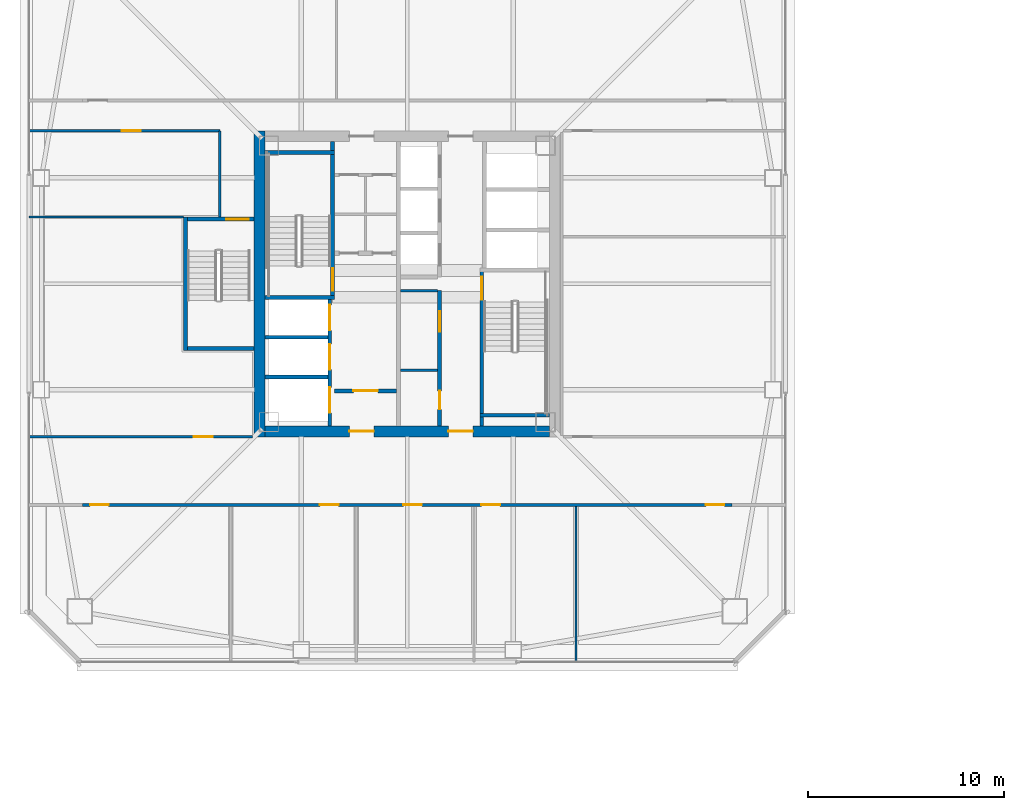
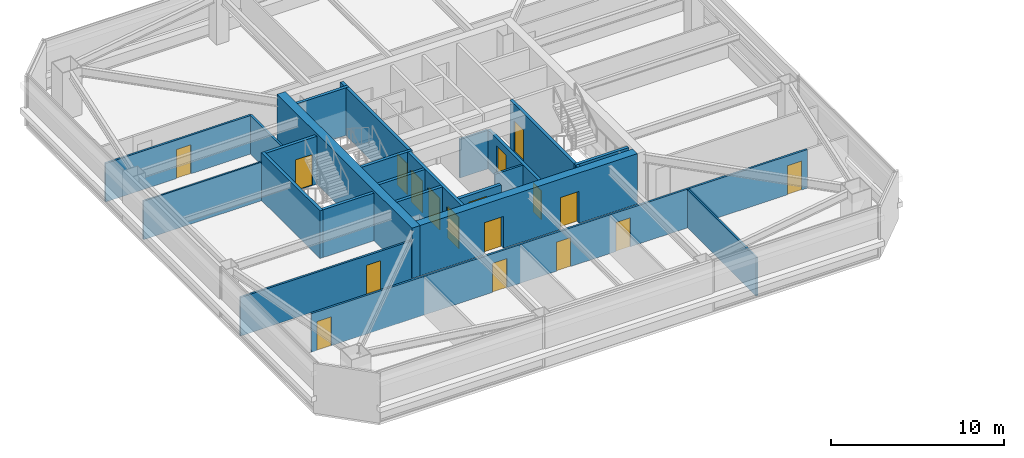
# One storey, part 31 of 41: 23 walls, 18 doors, 18 openings.
"""IFC4 building model written with IfcOpenShell, lengths in metres."""

from ifc_helpers import new_model, si_unit, direction, frame, frame_2d, origin, place, context, subcontext, project, spatial, rectangle, extrude, material, layer, layer_set, type_object, element, fill, save


model = new_model("IFC4")

# Units and contexts
model_context = context("Model", 3, precision=1e-05, world=origin(), true_north=direction((0.0, 1.0)))
body_context = subcontext(model_context, "Body", "Model", "MODEL_VIEW")
ifc_project = project(units=[si_unit("LENGTHUNIT", "METRE"), si_unit("AREAUNIT", "SQUARE_METRE"), si_unit("VOLUMEUNIT", "CUBIC_METRE"), si_unit("PLANEANGLEUNIT", "RADIAN"), si_unit("MASSUNIT", "GRAM", prefix="KILO")], contexts=[model_context])

# Site, building, storey
site_placement = place(None, origin())
site = spatial("IfcSite", under=ifc_project, at=site_placement, CompositionType="ELEMENT")
building_placement = place(site_placement, origin())
building = spatial("IfcBuilding", under=site, at=building_placement, Name="Tashvorn Skyway Center", CompositionType="ELEMENT")
storey_placement = place(building_placement, frame((0.0, 0.0, 117.949951171875)))
storey = spatial("IfcBuildingStorey", under=building, at=storey_placement, Name="L31", CompositionType="ELEMENT", Elevation=117.949951171875)

# Wall
ifc_material_1 = material(Name="Concrete C60/75", Category="concrete")
ifc_layer_1 = layer(ifc_material_1, 0.550048828125)
ifc_layer_set_1 = layer_set([ifc_layer_1], Name="Concrete C60/75")
wall_type_1 = type_object("IfcWallType", Name="WALL-CORE-550", PredefinedType="SHEAR", material=ifc_layer_set_1)
wall_1_placement = place(storey_placement, frame((34.47509765625, 24.199951171875, 0.0), z_axis=(0.0, 0.0, 1.0), x_axis=(0.0, 1.0, 0.0)))
element("IfcWall", 1, at=wall_1_placement, inside=storey, type_object=wall_type_1, Name="Tower 1 L31 West Core Shear Wall", PredefinedType="SHEAR", context=body_context, shape_type="SweptSolid", body=[
    extrude(rectangle(XDim=15.60009765625, YDim=0.550048828125, at=frame_2d((7.800048828125, 0.0))), origin(), (0.0, 0.0, 1.0), 3.550048828125),
])

# Wall, openings, doors
wall_2_placement = place(storey_placement, frame((49.25, 24.47509765625, 0.0), z_axis=(0.0, 0.0, 1.0), x_axis=(-1.0, 0.0, 0.0)))
wall_2 = element("IfcWall", 2, at=wall_2_placement, inside=storey, type_object=wall_type_1, Name="Tower 1 L31 South Core Shear Wall", PredefinedType="SHEAR", context=body_context, shape_type="SweptSolid", body=[
    extrude(rectangle(XDim=14.5, YDim=0.550048828125, at=frame_2d((7.25, 0.0))), origin(), (0.0, 0.0, 1.0), 3.550048828125),
])
opening_1_placement = place(wall_2_placement, frame((8.949951171875, 0.0, 0.0)))
opening_1 = element("IfcOpeningElement", 3, at=opening_1_placement, cuts=wall_2, Name="Opening D-FFL-1250", PredefinedType="OPENING", context=body_context, shape_type="SweptSolid", body=[
    extrude(rectangle(XDim=1.25, YDim=2.25, at=frame_2d((0.625, 1.125))), frame((0.0, 0.284912109375, 0.0), z_axis=(0.0, -1.0, 0.0), x_axis=(1.0, 0.0, 0.0)), (0.0, 0.0, 1.0), 0.570068359375),
])
opening_2_placement = place(wall_2_placement, frame((3.89990234375, 0.0, 0.0)))
opening_2 = element("IfcOpeningElement", 4, at=opening_2_placement, cuts=wall_2, Name="Opening D-FFL-1250", PredefinedType="OPENING", context=body_context, shape_type="SweptSolid", body=[
    extrude(rectangle(XDim=1.25, YDim=2.25, at=frame_2d((0.625, 1.125))), frame((0.0, 0.284912109375, 0.0), z_axis=(0.0, -1.0, 0.0), x_axis=(1.0, 0.0, 0.0)), (0.0, 0.0, 1.0), 0.570068359375),
])
ifc_material_2 = material(Name="Hollow galvanized steel fire door assembly", Category="steel")
door_type_1 = type_object("IfcDoorType", Name="DOOR-FFL-1250", OperationType="NOTDEFINED", PredefinedType="DOOR", material=ifc_material_2)
door_1_placement = place(opening_1_placement, origin())
door_1 = element("IfcDoor", 5, at=door_1_placement, inside=storey, type_object=door_type_1, Name="Tower 1 L31 Core South Firefighting Exit Door", OperationType="SINGLE_SWING_LEFT", OverallHeight=2.25, OverallWidth=1.25, PredefinedType="DOOR", context=body_context, shape_type="SweptSolid", body=[
    extrude(rectangle(XDim=1.25, YDim=2.25, at=frame_2d((0.625, 1.125))), frame((0.0, 0.02490234375, 0.0), z_axis=(0.0, -1.0, 0.0), x_axis=(1.0, 0.0, 0.0)), (0.0, 0.0, 1.0), 0.050048828125),
])
fill(opening_1, door_1)
door_2_placement = place(opening_2_placement, origin())
door_2 = element("IfcDoor", 6, at=door_2_placement, inside=storey, type_object=door_type_1, Name="Tower 1 L31 Core South Lift Lobby Door", OperationType="SINGLE_SWING_RIGHT", OverallHeight=2.25, OverallWidth=1.25, PredefinedType="DOOR", context=body_context, shape_type="SweptSolid", body=[
    extrude(rectangle(XDim=1.25, YDim=2.25, at=frame_2d((0.625, 1.125))), frame((0.0, 0.02490234375, 0.0), z_axis=(0.0, -1.0, 0.0), x_axis=(1.0, 0.0, 0.0)), (0.0, 0.0, 1.0), 0.050048828125),
])
fill(opening_2, door_2)

# Wall, opening, door
ifc_material_3 = material(Name="Concrete C40/50", Category="concrete")
ifc_layer_2 = layer(ifc_material_3, 0.219970703125)
ifc_layer_set_2 = layer_set([ifc_layer_2], Name="Concrete C40/50")
wall_type_2 = type_object("IfcWallType", Name="WALL-FFL-220", PredefinedType="SOLIDWALL", material=ifc_layer_set_2)
wall_3_placement = place(storey_placement, frame((38.300048828125, 26.5400390625, 0.0), z_axis=(0.0, 0.0, 1.0), x_axis=(1.0, 0.0, 0.0)))
wall_3 = element("IfcWall", 7, at=wall_3_placement, inside=storey, type_object=wall_type_2, Name="Tower 1 L31 Firefighting Lobby South Wall", PredefinedType="SOLIDWALL", context=body_context, shape_type="SweptSolid", body=[
    extrude(rectangle(XDim=3.14990234375, YDim=0.219970703125, at=frame_2d((1.574951171875, 0.0))), origin(), (0.0, 0.0, 1.0), 2.72314453125),
])
opening_3_placement = place(wall_3_placement, frame((0.949951171875, 0.0, 0.0)))
opening_3 = element("IfcOpeningElement", 8, at=opening_3_placement, cuts=wall_3, Name="Opening D-FFL-1250", PredefinedType="OPENING", context=body_context, shape_type="SweptSolid", body=[
    extrude(rectangle(XDim=1.25, YDim=2.25, at=frame_2d((0.625, 1.125))), frame((0.0, 0.119873046875, 0.0), z_axis=(0.0, -1.0, 0.0), x_axis=(1.0, 0.0, 0.0)), (0.0, 0.0, 1.0), 0.239990234375),
])
door_3_placement = place(opening_3_placement, origin())
door_3 = element("IfcDoor", 9, at=door_3_placement, inside=storey, type_object=door_type_1, Name="Tower 1 L31 Firefighting Lobby Egress Door", OperationType="SINGLE_SWING_LEFT", OverallHeight=2.25, OverallWidth=1.25, PredefinedType="DOOR", context=body_context, shape_type="SweptSolid", body=[
    extrude(rectangle(XDim=1.25, YDim=2.25, at=frame_2d((0.625, 1.125))), frame((0.0, 0.02490234375, 0.0), z_axis=(0.0, -1.0, 0.0), x_axis=(1.0, 0.0, 0.0)), (0.0, 0.0, 1.0), 0.050048828125),
])
fill(opening_3, door_3)

# Walls
ifc_material_4 = material(Name="Gypsum board on cold-formed steel stud framing", Category="steel")
ifc_layer_3 = layer(ifc_material_4, 0.110107421875)
ifc_layer_set_3 = layer_set([ifc_layer_3], Name="Gypsum board on cold-formed steel stud framing")
wall_type_3 = type_object("IfcWallType", Name="WALL-PART-110", PredefinedType="PARTITIONING", material=ifc_layer_set_3)
wall_4_placement = place(storey_placement, frame((50.60009765625, 12.719970703125, 0.0), z_axis=(0.0, 0.0, 1.0), x_axis=(0.0, 1.0, 0.0)))
element("IfcWall", 10, at=wall_4_placement, inside=storey, type_object=wall_type_3, Name="Tower 1 L31 South Suite Partition 4", PredefinedType="PARTITIONING", context=body_context, shape_type="SweptSolid", body=[
    extrude(rectangle(XDim=7.929931640625, YDim=0.110107421875, at=frame_2d((3.96484375, 0.0))), origin(), (0.0, 0.0, 1.0), 2.72314453125),
])
wall_5_placement = place(storey_placement, frame((30.60009765625, 35.39990234375, 0.0), z_axis=(0.0, 0.0, 1.0), x_axis=(-1.0, 0.0, 0.0)))
element("IfcWall", 11, at=wall_5_placement, inside=storey, type_object=wall_type_3, Name="Tower 1 L31 West Suite Partition 1", PredefinedType="PARTITIONING", context=body_context, shape_type="SweptSolid", body=[
    extrude(rectangle(XDim=7.880126953125, YDim=0.110107421875, at=frame_2d((3.93994140625, 0.0))), origin(), (0.0, 0.0, 1.0), 2.72314453125),
])
ifc_layer_4 = layer(ifc_material_4, 0.135009765625)
ifc_layer_set_4 = layer_set([ifc_layer_4], Name="Gypsum board on cold-formed steel stud framing")
wall_type_4 = type_object("IfcWallType", Name="WALL-PART-135", PredefinedType="PARTITIONING", material=ifc_layer_set_4)
wall_6_placement = place(storey_placement, frame((32.449951171875, 35.39990234375, 0.0), z_axis=(0.0, 0.0, 1.0), x_axis=(0.0, 1.0, 0.0)))
element("IfcWall", 12, at=wall_6_placement, inside=storey, type_object=wall_type_4, Name="Tower 1 L31 Stair 3 Access Corridor Wall", PredefinedType="PARTITIONING", context=body_context, shape_type="SweptSolid", body=[
    extrude(rectangle(XDim=4.400146484375, YDim=0.135009765625, at=frame_2d((2.2001953125, 0.0))), origin(), (0.0, 0.0, 1.0), 2.72314453125),
])

# Wall, openings, doors
wall_7_placement = place(storey_placement, frame((58.550048828125, 20.72998046875, 0.0), z_axis=(0.0, 0.0, 1.0), x_axis=(-1.0, 0.0, 0.0)))
wall_7 = element("IfcWall", 13, at=wall_7_placement, inside=storey, type_object=wall_type_4, Name="Tower 1 L31 South Suite Wall", PredefinedType="PARTITIONING", context=body_context, shape_type="SweptSolid", body=[
    extrude(rectangle(XDim=33.10009765625, YDim=0.135009765625, at=frame_2d((16.550048828125, 0.0))), origin(), (0.0, 0.0, 1.0), 2.72314453125),
])
opening_4_placement = place(wall_7_placement, frame((31.77001953125, 0.0, 0.0)))
opening_4 = element("IfcOpeningElement", 14, at=opening_4_placement, cuts=wall_7, Name="Opening D-INT-950", PredefinedType="OPENING", context=body_context, shape_type="SweptSolid", body=[
    extrude(rectangle(XDim=0.949951171875, YDim=2.050048828125, at=frame_2d((0.47509765625, 1.02490234375))), frame((0.0, 0.077392578125, 0.0), z_axis=(0.0, -1.0, 0.0), x_axis=(1.0, 0.0, 0.0)), (0.0, 0.0, 1.0), 0.155029296875),
])
opening_5_placement = place(wall_7_placement, frame((20.051025390625, 0.0, 0.0)))
opening_5 = element("IfcOpeningElement", 15, at=opening_5_placement, cuts=wall_7, Name="Opening D-INT-950", PredefinedType="OPENING", context=body_context, shape_type="SweptSolid", body=[
    extrude(rectangle(XDim=0.949951171875, YDim=2.050048828125, at=frame_2d((0.47509765625, 1.02490234375))), frame((0.0, 0.077392578125, 0.0), z_axis=(0.0, -1.0, 0.0), x_axis=(1.0, 0.0, 0.0)), (0.0, 0.0, 1.0), 0.155029296875),
])
opening_6_placement = place(wall_7_placement, frame((15.80126953125, 0.0, 0.0)))
opening_6 = element("IfcOpeningElement", 16, at=opening_6_placement, cuts=wall_7, Name="Opening D-INT-950", PredefinedType="OPENING", context=body_context, shape_type="SweptSolid", body=[
    extrude(rectangle(XDim=0.949951171875, YDim=2.050048828125, at=frame_2d((0.47509765625, 1.02490234375))), frame((0.0, 0.077392578125, 0.0), z_axis=(0.0, -1.0, 0.0), x_axis=(1.0, 0.0, 0.0)), (0.0, 0.0, 1.0), 0.155029296875),
])
opening_7_placement = place(wall_7_placement, frame((11.820068359375, 0.0, 0.0)))
opening_7 = element("IfcOpeningElement", 17, at=opening_7_placement, cuts=wall_7, Name="Opening D-INT-950", PredefinedType="OPENING", context=body_context, shape_type="SweptSolid", body=[
    extrude(rectangle(XDim=0.949951171875, YDim=2.050048828125, at=frame_2d((0.47509765625, 1.02490234375))), frame((0.0, 0.077392578125, 0.0), z_axis=(0.0, -1.0, 0.0), x_axis=(1.0, 0.0, 0.0)), (0.0, 0.0, 1.0), 0.155029296875),
])
opening_8_placement = place(wall_7_placement, frame((0.3798828125, 0.0, 0.0)))
opening_8 = element("IfcOpeningElement", 18, at=opening_8_placement, cuts=wall_7, Name="Opening D-INT-950", PredefinedType="OPENING", context=body_context, shape_type="SweptSolid", body=[
    extrude(rectangle(XDim=0.949951171875, YDim=2.050048828125, at=frame_2d((0.47509765625, 1.02490234375))), frame((0.0, 0.077392578125, 0.0), z_axis=(0.0, -1.0, 0.0), x_axis=(1.0, 0.0, 0.0)), (0.0, 0.0, 1.0), 0.155029296875),
])
ifc_material_5 = material(Name="Solid-core architectural oak veneer door")
door_type_2 = type_object("IfcDoorType", Name="DOOR-INT-950", OperationType="NOTDEFINED", PredefinedType="DOOR", material=ifc_material_5)
door_4_placement = place(opening_4_placement, origin())
door_4 = element("IfcDoor", 19, at=door_4_placement, inside=storey, type_object=door_type_2, Name="Tower 1 L31 Executive Study Lounge Door", OperationType="SINGLE_SWING_RIGHT", OverallHeight=2.050048828125, OverallWidth=0.949951171875, PredefinedType="DOOR", context=body_context, shape_type="SweptSolid", body=[
    extrude(rectangle(XDim=0.949951171875, YDim=2.050048828125, at=frame_2d((0.47509765625, 1.02490234375))), frame((0.0, 0.02490234375, 0.0), z_axis=(0.0, -1.0, 0.0), x_axis=(1.0, 0.0, 0.0)), (0.0, 0.0, 1.0), 0.050048828125),
])
fill(opening_4, door_4)
door_5_placement = place(opening_5_placement, origin())
door_5 = element("IfcDoor", 20, at=door_5_placement, inside=storey, type_object=door_type_2, Name="Tower 1 L31 Design Studio Door", OperationType="SINGLE_SWING_LEFT", OverallHeight=2.050048828125, OverallWidth=0.949951171875, PredefinedType="DOOR", context=body_context, shape_type="SweptSolid", body=[
    extrude(rectangle(XDim=0.949951171875, YDim=2.050048828125, at=frame_2d((0.47509765625, 1.02490234375))), frame((0.0, 0.02490234375, 0.0), z_axis=(0.0, -1.0, 0.0), x_axis=(1.0, 0.0, 0.0)), (0.0, 0.0, 1.0), 0.050048828125),
])
fill(opening_5, door_5)
door_6_placement = place(opening_6_placement, origin())
door_6 = element("IfcDoor", 21, at=door_6_placement, inside=storey, type_object=door_type_2, Name="Tower 1 L31 Design Studio Door", OperationType="SINGLE_SWING_RIGHT", OverallHeight=2.050048828125, OverallWidth=0.949951171875, PredefinedType="DOOR", context=body_context, shape_type="SweptSolid", body=[
    extrude(rectangle(XDim=0.949951171875, YDim=2.050048828125, at=frame_2d((0.47509765625, 1.02490234375))), frame((0.0, 0.02490234375, 0.0), z_axis=(0.0, -1.0, 0.0), x_axis=(1.0, 0.0, 0.0)), (0.0, 0.0, 1.0), 0.050048828125),
])
fill(opening_6, door_6)
door_7_placement = place(opening_7_placement, origin())
door_7 = element("IfcDoor", 22, at=door_7_placement, inside=storey, type_object=door_type_2, Name="Tower 1 L31 Reading Lounge Door", OperationType="SINGLE_SWING_LEFT", OverallHeight=2.050048828125, OverallWidth=0.949951171875, PredefinedType="DOOR", context=body_context, shape_type="SweptSolid", body=[
    extrude(rectangle(XDim=0.949951171875, YDim=2.050048828125, at=frame_2d((0.47509765625, 1.02490234375))), frame((0.0, 0.02490234375, 0.0), z_axis=(0.0, -1.0, 0.0), x_axis=(1.0, 0.0, 0.0)), (0.0, 0.0, 1.0), 0.050048828125),
])
fill(opening_7, door_7)
door_8_placement = place(opening_8_placement, origin())
door_8 = element("IfcDoor", 23, at=door_8_placement, inside=storey, type_object=door_type_2, Name="Tower 1 L31 Open Plan Office Door", OperationType="SINGLE_SWING_RIGHT", OverallHeight=2.050048828125, OverallWidth=0.949951171875, PredefinedType="DOOR", context=body_context, shape_type="SweptSolid", body=[
    extrude(rectangle(XDim=0.949951171875, YDim=2.050048828125, at=frame_2d((0.47509765625, 1.02490234375))), frame((0.0, 0.02490234375, 0.0), z_axis=(0.0, -1.0, 0.0), x_axis=(1.0, 0.0, 0.0)), (0.0, 0.0, 1.0), 0.050048828125),
])
fill(opening_8, door_8)

# Wall, opening, door
wall_8_placement = place(storey_placement, frame((32.449951171875, 39.800048828125, 0.0), z_axis=(0.0, 0.0, 1.0), x_axis=(-1.0, 0.0, 0.0)))
wall_8 = element("IfcWall", 24, at=wall_8_placement, inside=storey, type_object=wall_type_4, Name="Tower 1 L31 West Suite North Wall", PredefinedType="PARTITIONING", context=body_context, shape_type="SweptSolid", body=[
    extrude(rectangle(XDim=9.72998046875, YDim=0.135009765625, at=frame_2d((4.864990234375, 0.0))), origin(), (0.0, 0.0, 1.0), 2.72314453125),
])
opening_9_placement = place(wall_8_placement, frame((4.0400390625, 0.0, 0.0)))
opening_9 = element("IfcOpeningElement", 25, at=opening_9_placement, cuts=wall_8, Name="Opening D-INT-950", PredefinedType="OPENING", context=body_context, shape_type="SweptSolid", body=[
    extrude(rectangle(XDim=0.949951171875, YDim=2.050048828125, at=frame_2d((0.47509765625, 1.02490234375))), frame((0.0, 0.077392578125, 0.0), z_axis=(0.0, -1.0, 0.0), x_axis=(1.0, 0.0, 0.0)), (0.0, 0.0, 1.0), 0.155029296875),
])
door_9_placement = place(opening_9_placement, origin())
door_9 = element("IfcDoor", 26, at=door_9_placement, inside=storey, type_object=door_type_2, Name="Tower 1 L31 Reading Lounge Door", OperationType="SINGLE_SWING_LEFT", OverallHeight=2.050048828125, OverallWidth=0.949951171875, PredefinedType="DOOR", context=body_context, shape_type="SweptSolid", body=[
    extrude(rectangle(XDim=0.949951171875, YDim=2.050048828125, at=frame_2d((0.47509765625, 1.02490234375))), frame((0.0, 0.02490234375, 0.0), z_axis=(0.0, -1.0, 0.0), x_axis=(1.0, 0.0, 0.0)), (0.0, 0.0, 1.0), 0.050048828125),
])
fill(opening_9, door_9)

wall_9_placement = place(storey_placement, frame((22.719970703125, 24.199951171875, 0.0), z_axis=(0.0, 0.0, 1.0), x_axis=(1.0, 0.0, 0.0)))
wall_9 = element("IfcWall", 27, at=wall_9_placement, inside=storey, type_object=wall_type_4, Name="Tower 1 L31 West Suite South Wall", PredefinedType="PARTITIONING", context=body_context, shape_type="SweptSolid", body=[
    extrude(rectangle(XDim=11.400146484375, YDim=0.135009765625, at=frame_2d((5.7001953125, 0.0))), origin(), (0.0, 0.0, 1.0), 2.72314453125),
])
opening_10_placement = place(wall_9_placement, frame((8.405029296875, 0.0, 0.0)))
opening_10 = element("IfcOpeningElement", 28, at=opening_10_placement, cuts=wall_9, Name="Opening D-INT-950", PredefinedType="OPENING", context=body_context, shape_type="SweptSolid", body=[
    extrude(rectangle(XDim=0.949951171875, YDim=2.050048828125, at=frame_2d((0.47509765625, 1.02490234375))), frame((0.0, 0.077392578125, 0.0), z_axis=(0.0, -1.0, 0.0), x_axis=(1.0, 0.0, 0.0)), (0.0, 0.0, 1.0), 0.155029296875),
])
door_10_placement = place(opening_10_placement, origin())
door_10 = element("IfcDoor", 29, at=door_10_placement, inside=storey, type_object=door_type_2, Name="Tower 1 L31 Public Restroom Door", OperationType="SINGLE_SWING_RIGHT", OverallHeight=2.050048828125, OverallWidth=0.949951171875, PredefinedType="DOOR", context=body_context, shape_type="SweptSolid", body=[
    extrude(rectangle(XDim=0.949951171875, YDim=2.050048828125, at=frame_2d((0.47509765625, 1.02490234375))), frame((0.0, 0.02490234375, 0.0), z_axis=(0.0, -1.0, 0.0), x_axis=(1.0, 0.0, 0.0)), (0.0, 0.0, 1.0), 0.050048828125),
])
fill(opening_10, door_10)

# Walls
ifc_layer_5 = layer(ifc_material_4, 0.135009765625)
ifc_layer_set_5 = layer_set([ifc_layer_5], Name="Gypsum board on cold-formed steel stud framing")
wall_type_5 = type_object("IfcWallType", Name="WALL-RATED-135", PredefinedType="PARTITIONING", material=ifc_layer_set_5)
for number, where, z_axis, x_axis, name in (
    (30, (41.669921875, 31.64990234375, 0.0), (0.0, 0.0, 1.0), (1.0, 0.0, 0.0), "Tower 1 L31 Core Room Partition"),
    (31, (41.669921875, 27.60009765625, 0.0), (0.0, 0.0, 1.0), (1.0, 0.0, 0.0), "Tower 1 L31 Freed Core Partition"),
):
    element("IfcWall", number, at=place(storey_placement, frame(where, z_axis=z_axis, x_axis=x_axis)), inside=storey, type_object=wall_type_5, Name=name, PredefinedType="PARTITIONING", context=body_context, shape_type="SweptSolid", body=[
        extrude(rectangle(XDim=1.880126953125, YDim=0.135009765625, at=frame_2d((0.93994140625, 0.0))), origin(), (0.0, 0.0, 1.0), 2.72314453125),
    ])
ifc_layer_6 = layer(ifc_material_3, 0.199951171875)
ifc_layer_set_6 = layer_set([ifc_layer_6], Name="Concrete C40/50")
wall_type_6 = type_object("IfcWallType", Name="WALL-SHAFT-200", PredefinedType="SOLIDWALL", material=ifc_layer_set_6)
for number, where, z_axis, x_axis, name in (
    (32, (34.75, 27.25, 0.0), (0.0, 0.0, 1.0), (1.0, 0.0, 0.0), "Tower 1 L31 FSAE Shaft Divider"),
    (33, (34.75, 29.280029296875, 0.0), (0.0, 0.0, 1.0), (1.0, 0.0, 0.0), "Tower 1 L31 FSAE Shaft Divider"),
):
    element("IfcWall", number, at=place(storey_placement, frame(where, z_axis=z_axis, x_axis=x_axis)), inside=storey, type_object=wall_type_6, Name=name, PredefinedType="SOLIDWALL", context=body_context, shape_type="SweptSolid", body=[
        extrude(rectangle(XDim=3.199951171875, YDim=0.199951171875, at=frame_2d((1.60009765625, 0.0))), origin(), (0.0, 0.0, 1.0), 3.3701171875),
    ])

# Wall, openings, doors
wall_10_placement = place(storey_placement, frame((43.64990234375, 24.75, 0.0), z_axis=(0.0, 0.0, 1.0), x_axis=(0.0, 1.0, 0.0)))
wall_10 = element("IfcWall", 34, at=wall_10_placement, inside=storey, type_object=wall_type_6, Name="Tower 1 L31 Low-Rise Core Wall", PredefinedType="SOLIDWALL", context=body_context, shape_type="SweptSolid", body=[
    extrude(rectangle(XDim=6.89990234375, YDim=0.199951171875, at=frame_2d((3.449951171875, 0.0))), origin(), (0.0, 0.0, 1.0), 2.72314453125),
])
opening_11_placement = place(wall_10_placement, frame((0.85009765625, 0.0, 0.0)))
opening_11 = element("IfcOpeningElement", 35, at=opening_11_placement, cuts=wall_10, Name="Opening D-RT-950", PredefinedType="OPENING", context=body_context, shape_type="SweptSolid", body=[
    extrude(rectangle(XDim=0.949951171875, YDim=2.050048828125, at=frame_2d((0.47509765625, 1.02490234375))), frame((0.0, 0.10986328125, 0.0), z_axis=(0.0, -1.0, 0.0), x_axis=(1.0, 0.0, 0.0)), (0.0, 0.0, 1.0), 0.219970703125),
])
opening_12_placement = place(wall_10_placement, frame((4.800048828125, 0.0, 0.0)))
opening_12 = element("IfcOpeningElement", 36, at=opening_12_placement, cuts=wall_10, Name="Opening D-RT-1050", PredefinedType="OPENING", context=body_context, shape_type="SweptSolid", body=[
    extrude(rectangle(XDim=1.050048828125, YDim=2.199951171875, at=frame_2d((0.52490234375, 1.10009765625))), frame((0.0, 0.10986328125, 0.0), z_axis=(0.0, -1.0, 0.0), x_axis=(1.0, 0.0, 0.0)), (0.0, 0.0, 1.0), 0.219970703125),
])
door_type_3 = type_object("IfcDoorType", Name="DOOR-RATED-1050", OperationType="NOTDEFINED", PredefinedType="DOOR", material=ifc_material_2)
door_11_placement = place(opening_12_placement, origin())
door_11 = element("IfcDoor", 37, at=door_11_placement, inside=storey, type_object=door_type_3, Name="Tower 1 L31 Freed Core Room Door", OperationType="SINGLE_SWING_RIGHT", OverallHeight=2.199951171875, OverallWidth=1.050048828125, PredefinedType="DOOR", context=body_context, shape_type="SweptSolid", body=[
    extrude(rectangle(XDim=1.050048828125, YDim=2.199951171875, at=frame_2d((0.52490234375, 1.10009765625))), frame((0.0, 0.02490234375, 0.0), z_axis=(0.0, -1.0, 0.0), x_axis=(1.0, 0.0, 0.0)), (0.0, 0.0, 1.0), 0.050048828125),
])
fill(opening_12, door_11)
door_type_4 = type_object("IfcDoorType", Name="DOOR-RATED-950", OperationType="NOTDEFINED", PredefinedType="DOOR", material=ifc_material_2)
door_12_placement = place(opening_11_placement, origin())
door_12 = element("IfcDoor", 38, at=door_12_placement, inside=storey, type_object=door_type_4, Name="Tower 1 L31 Core Print Room Door", OperationType="SINGLE_SWING_LEFT", OverallHeight=2.050048828125, OverallWidth=0.949951171875, PredefinedType="DOOR", context=body_context, shape_type="SweptSolid", body=[
    extrude(rectangle(XDim=0.949951171875, YDim=2.050048828125, at=frame_2d((0.47509765625, 1.02490234375))), frame((0.0, 0.02490234375, 0.0), z_axis=(0.0, -1.0, 0.0), x_axis=(1.0, 0.0, 0.0)), (0.0, 0.0, 1.0), 0.050048828125),
])
fill(opening_11, door_12)

# Wall, opening, door
ifc_layer_7 = layer(ifc_material_3, 0.199951171875)
ifc_layer_set_7 = layer_set([ifc_layer_7], Name="Concrete C40/50")
wall_type_7 = type_object("IfcWallType", Name="WALL-STSHF-200", PredefinedType="SHEAR", material=ifc_layer_set_7)
wall_11_placement = place(storey_placement, frame((38.199951171875, 31.199951171875, 0.0), z_axis=(0.0, 0.0, 1.0), x_axis=(0.0, 1.0, 0.0)))
wall_11 = element("IfcWall", 39, at=wall_11_placement, inside=storey, type_object=wall_type_7, Name="Tower 1 L31 Stair 1 Enclosure Wall", PredefinedType="SHEAR", context=body_context, shape_type="SweptSolid", body=[
    extrude(rectangle(XDim=8.050048828125, YDim=0.199951171875, at=frame_2d((4.02490234375, 0.0))), origin(), (0.0, 0.0, 1.0), 3.3701171875),
])
opening_13_placement = place(wall_11_placement, frame((0.449951171875, 0.0, 0.0)))
opening_13 = element("IfcOpeningElement", 40, at=opening_13_placement, cuts=wall_11, Name="Opening D-ST-1150", PredefinedType="OPENING", context=body_context, shape_type="SweptSolid", body=[
    extrude(rectangle(XDim=1.14990234375, YDim=2.199951171875, at=frame_2d((0.574951171875, 1.10009765625))), frame((0.0, 0.10986328125, 0.0), z_axis=(0.0, -1.0, 0.0), x_axis=(1.0, 0.0, 0.0)), (0.0, 0.0, 1.0), 0.219970703125),
])
door_type_5 = type_object("IfcDoorType", Name="DOOR-STAIR-1150", OperationType="NOTDEFINED", PredefinedType="DOOR", material=ifc_material_2)
door_13_placement = place(opening_13_placement, origin())
door_13 = element("IfcDoor", 41, at=door_13_placement, inside=storey, type_object=door_type_5, Name="Tower 1 L31 Exit Stair 1 Door", OperationType="SINGLE_SWING_RIGHT", OverallHeight=2.199951171875, OverallWidth=1.14990234375, PredefinedType="DOOR", context=body_context, shape_type="SweptSolid", body=[
    extrude(rectangle(XDim=1.14990234375, YDim=2.199951171875, at=frame_2d((0.574951171875, 1.10009765625))), frame((0.0, 0.02490234375, 0.0), z_axis=(0.0, -1.0, 0.0), x_axis=(1.0, 0.0, 0.0)), (0.0, 0.0, 1.0), 0.050048828125),
])
fill(opening_13, door_13)

# Walls
for number, where, z_axis, x_axis, name in (
    (42, (34.75, 31.300048828125, 0.0), (0.0, 0.0, 1.0), (1.0, 0.0, 0.0), "Tower 1 L31 Stair 1 South Wall"),
    (43, (34.75, 38.699951171875, 0.0), (0.0, 0.0, 1.0), (1.0, 0.0, 0.0), "Tower 1 L31 Stair 1 North Wall"),
):
    element("IfcWall", number, at=place(storey_placement, frame(where, z_axis=z_axis, x_axis=x_axis)), inside=storey, type_object=wall_type_7, Name=name, PredefinedType="SHEAR", context=body_context, shape_type="SweptSolid", body=[
        extrude(rectangle(XDim=3.550048828125, YDim=0.199951171875, at=frame_2d((1.77490234375, 0.0))), origin(), (0.0, 0.0, 1.0), 3.3701171875),
    ])

# Wall, opening, door
wall_12_placement = place(storey_placement, frame((45.800048828125, 32.800048828125, 0.0), z_axis=(0.0, 0.0, 1.0), x_axis=(0.0, -1.0, 0.0)))
wall_12 = element("IfcWall", 44, at=wall_12_placement, inside=storey, type_object=wall_type_7, Name="Tower 1 L31 Stair 2 Enclosure Wall", PredefinedType="SHEAR", context=body_context, shape_type="SweptSolid", body=[
    extrude(rectangle(XDim=8.050048828125, YDim=0.199951171875, at=frame_2d((4.02490234375, 0.0))), origin(), (0.0, 0.0, 1.0), 3.3701171875),
])
opening_14_placement = place(wall_12_placement, frame((0.449951171875, 0.0, 0.0)))
opening_14 = element("IfcOpeningElement", 45, at=opening_14_placement, cuts=wall_12, Name="Opening D-ST-1150", PredefinedType="OPENING", context=body_context, shape_type="SweptSolid", body=[
    extrude(rectangle(XDim=1.14990234375, YDim=2.199951171875, at=frame_2d((0.574951171875, 1.10009765625))), frame((0.0, 0.10986328125, 0.0), z_axis=(0.0, -1.0, 0.0), x_axis=(1.0, 0.0, 0.0)), (0.0, 0.0, 1.0), 0.219970703125),
])
door_14_placement = place(opening_14_placement, origin())
door_14 = element("IfcDoor", 46, at=door_14_placement, inside=storey, type_object=door_type_5, Name="Tower 1 L31 Exit Stair 2 Door", OperationType="SINGLE_SWING_RIGHT", OverallHeight=2.199951171875, OverallWidth=1.14990234375, PredefinedType="DOOR", context=body_context, shape_type="SweptSolid", body=[
    extrude(rectangle(XDim=1.14990234375, YDim=2.199951171875, at=frame_2d((0.574951171875, 1.10009765625))), frame((0.0, 0.02490234375, 0.0), z_axis=(0.0, -1.0, 0.0), x_axis=(1.0, 0.0, 0.0)), (0.0, 0.0, 1.0), 0.050048828125),
])
fill(opening_14, door_14)

# Wall
wall_13_placement = place(storey_placement, frame((45.699951171875, 25.300048828125, 0.0), z_axis=(0.0, 0.0, 1.0), x_axis=(1.0, 0.0, 0.0)))
element("IfcWall", 47, at=wall_13_placement, inside=storey, type_object=wall_type_7, Name="Tower 1 L31 Stair 2 South Wall", PredefinedType="SHEAR", context=body_context, shape_type="SweptSolid", body=[
    extrude(rectangle(XDim=3.550048828125, YDim=0.199951171875, at=frame_2d((1.77490234375, 0.0))), origin(), (0.0, 0.0, 1.0), 3.3701171875),
])

# Wall, openings, doors
wall_14_placement = place(storey_placement, frame((38.050048828125, 24.75, 0.0), z_axis=(0.0, 0.0, 1.0), x_axis=(0.0, 1.0, 0.0)))
wall_14 = element("IfcWall", 48, at=wall_14_placement, inside=storey, type_object=wall_type_7, Name="Tower 1 L31 FSAE and Goods Shaft Front Wall", PredefinedType="SHEAR", context=body_context, shape_type="SweptSolid", body=[
    extrude(rectangle(XDim=6.449951171875, YDim=0.199951171875, at=frame_2d((3.22509765625, 0.0))), origin(), (0.0, 0.0, 1.0), 3.3701171875),
])
opening_15_placement = place(wall_14_placement, frame((4.875, 0.0, 0.0)))
opening_15 = element("IfcOpeningElement", 49, at=opening_15_placement, cuts=wall_14, Name="Opening LD-FF-T1-1-L31", PredefinedType="OPENING", context=body_context, shape_type="SweptSolid", body=[
    extrude(rectangle(XDim=1.300048828125, YDim=2.25, at=frame_2d((0.64990234375, 1.125))), frame((0.0, 0.10986328125, 0.0), z_axis=(0.0, -1.0, 0.0), x_axis=(1.0, 0.0, 0.0)), (0.0, 0.0, 1.0), 0.219970703125),
])
opening_16_placement = place(wall_14_placement, frame((2.875, 0.0, 0.0)))
opening_16 = element("IfcOpeningElement", 50, at=opening_16_placement, cuts=wall_14, Name="Opening LD-FF-T1-2-L31", PredefinedType="OPENING", context=body_context, shape_type="SweptSolid", body=[
    extrude(rectangle(XDim=1.300048828125, YDim=2.25, at=frame_2d((0.64990234375, 1.125))), frame((0.0, 0.10986328125, 0.0), z_axis=(0.0, -1.0, 0.0), x_axis=(1.0, 0.0, 0.0)), (0.0, 0.0, 1.0), 0.219970703125),
])
opening_17_placement = place(wall_14_placement, frame((0.675048828125, 0.0, 0.0)))
opening_17 = element("IfcOpeningElement", 51, at=opening_17_placement, cuts=wall_14, Name="Opening LD-GD-T1-1-L31", PredefinedType="OPENING", context=body_context, shape_type="SweptSolid", body=[
    extrude(rectangle(XDim=1.300048828125, YDim=2.25, at=frame_2d((0.64990234375, 1.125))), frame((0.0, 0.10986328125, 0.0), z_axis=(0.0, -1.0, 0.0), x_axis=(1.0, 0.0, 0.0)), (0.0, 0.0, 1.0), 0.219970703125),
])
ifc_material_6 = material(Name="Stainless steel heavy-duty landing door", Category="steel")
door_type_6 = type_object("IfcDoorType", Name="DOOR-LIFT-1300", OperationType="SLIDING_TO_LEFT", PredefinedType="DOOR", material=ifc_material_6)
door_15_placement = place(opening_15_placement, origin())
door_15 = element("IfcDoor", 52, at=door_15_placement, inside=storey, type_object=door_type_6, Name="Lift FF-T1-1 L31 Landing Door", OperationType="SLIDING_TO_LEFT", OverallHeight=2.25, OverallWidth=1.300048828125, PredefinedType="DOOR", context=body_context, shape_type="SweptSolid", body=[
    extrude(rectangle(XDim=1.300048828125, YDim=2.25, at=frame_2d((0.64990234375, 1.125))), frame((0.0, 0.02490234375, 0.0), z_axis=(0.0, -1.0, 0.0), x_axis=(1.0, 0.0, 0.0)), (0.0, 0.0, 1.0), 0.050048828125),
])
fill(opening_15, door_15)
door_16_placement = place(opening_16_placement, origin())
door_16 = element("IfcDoor", 53, at=door_16_placement, inside=storey, type_object=door_type_6, Name="Lift FF-T1-2 L31 Landing Door", OperationType="SLIDING_TO_LEFT", OverallHeight=2.25, OverallWidth=1.300048828125, PredefinedType="DOOR", context=body_context, shape_type="SweptSolid", body=[
    extrude(rectangle(XDim=1.300048828125, YDim=2.25, at=frame_2d((0.64990234375, 1.125))), frame((0.0, 0.02490234375, 0.0), z_axis=(0.0, -1.0, 0.0), x_axis=(1.0, 0.0, 0.0)), (0.0, 0.0, 1.0), 0.050048828125),
])
fill(opening_16, door_16)
door_17_placement = place(opening_17_placement, origin())
door_17 = element("IfcDoor", 54, at=door_17_placement, inside=storey, type_object=door_type_6, Name="Lift GD-T1-1 L31 Landing Door", OperationType="SLIDING_TO_LEFT", OverallHeight=2.25, OverallWidth=1.300048828125, PredefinedType="DOOR", context=body_context, shape_type="SweptSolid", body=[
    extrude(rectangle(XDim=1.300048828125, YDim=2.25, at=frame_2d((0.64990234375, 1.125))), frame((0.0, 0.02490234375, 0.0), z_axis=(0.0, -1.0, 0.0), x_axis=(1.0, 0.0, 0.0)), (0.0, 0.0, 1.0), 0.050048828125),
])
fill(opening_17, door_17)

# Wall
wall_15_placement = place(storey_placement, frame((30.699951171875, 28.60009765625, 0.0), z_axis=(0.0, 0.0, 1.0), x_axis=(0.0, 1.0, 0.0)))
element("IfcWall", 55, at=wall_15_placement, inside=storey, type_object=wall_type_7, Name="Tower 1 L31 Stair 3 Outer Wall", PredefinedType="SHEAR", context=body_context, shape_type="SweptSolid", body=[
    extrude(rectangle(XDim=6.7998046875, YDim=0.199951171875, at=frame_2d((3.39990234375, 0.0))), origin(), (0.0, 0.0, 1.0), 3.3701171875),
])

# Wall, opening, door
wall_16_placement = place(storey_placement, frame((34.199951171875, 35.300048828125, 0.0), z_axis=(0.0, 0.0, 1.0), x_axis=(-1.0, 0.0, 0.0)))
wall_16 = element("IfcWall", 56, at=wall_16_placement, inside=storey, type_object=wall_type_7, Name="Tower 1 L31 Stair 3 Enclosure Wall", PredefinedType="SHEAR", context=body_context, shape_type="SweptSolid", body=[
    extrude(rectangle(XDim=3.39990234375, YDim=0.199951171875, at=frame_2d((1.699951171875, 0.0))), origin(), (0.0, 0.0, 1.0), 3.3701171875),
])
opening_18_placement = place(wall_16_placement, frame((0.27490234375, 0.0, 0.0)))
opening_18 = element("IfcOpeningElement", 57, at=opening_18_placement, cuts=wall_16, Name="Opening D-ST-1150", PredefinedType="OPENING", context=body_context, shape_type="SweptSolid", body=[
    extrude(rectangle(XDim=1.14990234375, YDim=2.199951171875, at=frame_2d((0.574951171875, 1.10009765625))), frame((0.0, 0.10986328125, 0.0), z_axis=(0.0, -1.0, 0.0), x_axis=(1.0, 0.0, 0.0)), (0.0, 0.0, 1.0), 0.219970703125),
])
door_18_placement = place(opening_18_placement, origin())
door_18 = element("IfcDoor", 58, at=door_18_placement, inside=storey, type_object=door_type_5, Name="Tower 1 L31 Exit Stair 3 Door", OperationType="SINGLE_SWING_RIGHT", OverallHeight=2.199951171875, OverallWidth=1.14990234375, PredefinedType="DOOR", context=body_context, shape_type="SweptSolid", body=[
    extrude(rectangle(XDim=1.14990234375, YDim=2.199951171875, at=frame_2d((0.574951171875, 1.10009765625))), frame((0.0, 0.02490234375, 0.0), z_axis=(0.0, -1.0, 0.0), x_axis=(1.0, 0.0, 0.0)), (0.0, 0.0, 1.0), 0.050048828125),
])
fill(opening_18, door_18)

# Wall
wall_17_placement = place(storey_placement, frame((30.800048828125, 28.699951171875, 0.0), z_axis=(0.0, 0.0, 1.0), x_axis=(1.0, 0.0, 0.0)))
element("IfcWall", 59, at=wall_17_placement, inside=storey, type_object=wall_type_7, Name="Tower 1 L31 Stair 3 South Wall", PredefinedType="SHEAR", context=body_context, shape_type="SweptSolid", body=[
    extrude(rectangle(XDim=3.39990234375, YDim=0.199951171875, at=frame_2d((1.699951171875, 0.0))), origin(), (0.0, 0.0, 1.0), 3.3701171875),
])

save(model, "model.ifc")
